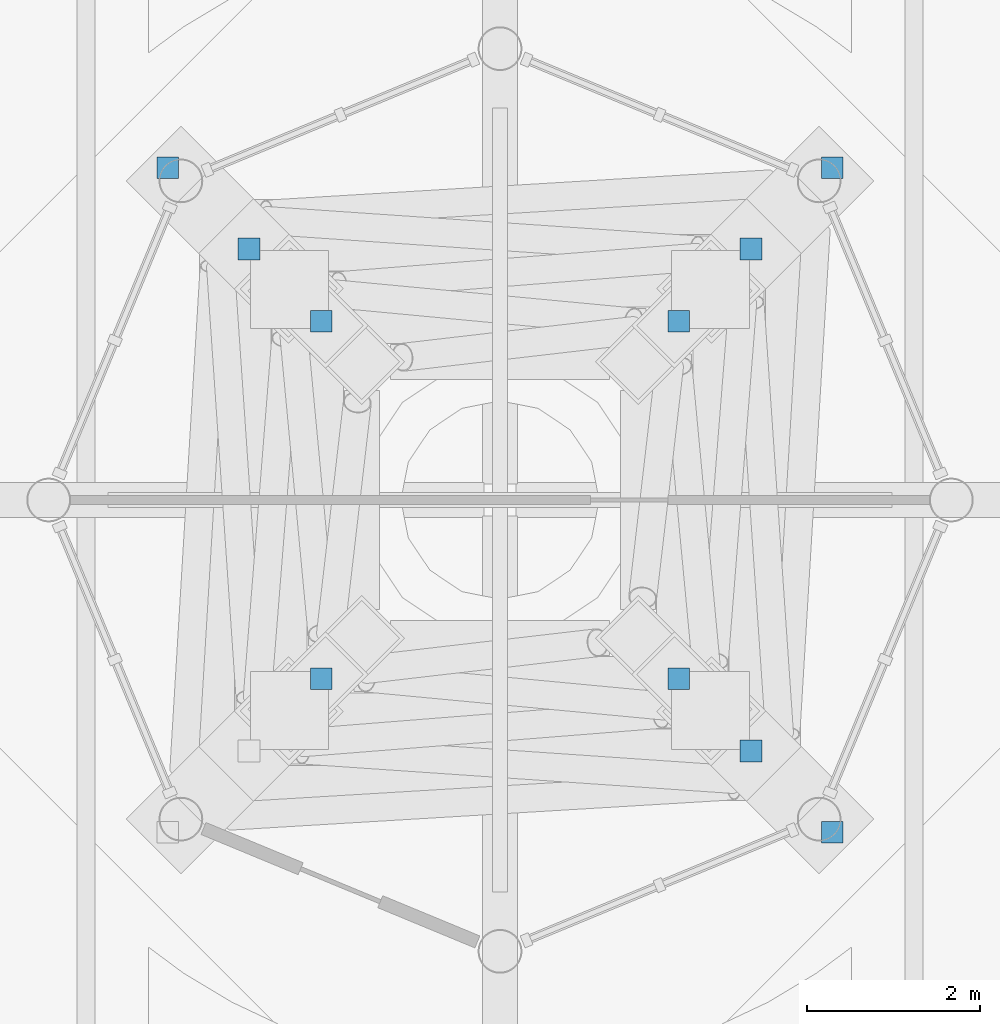
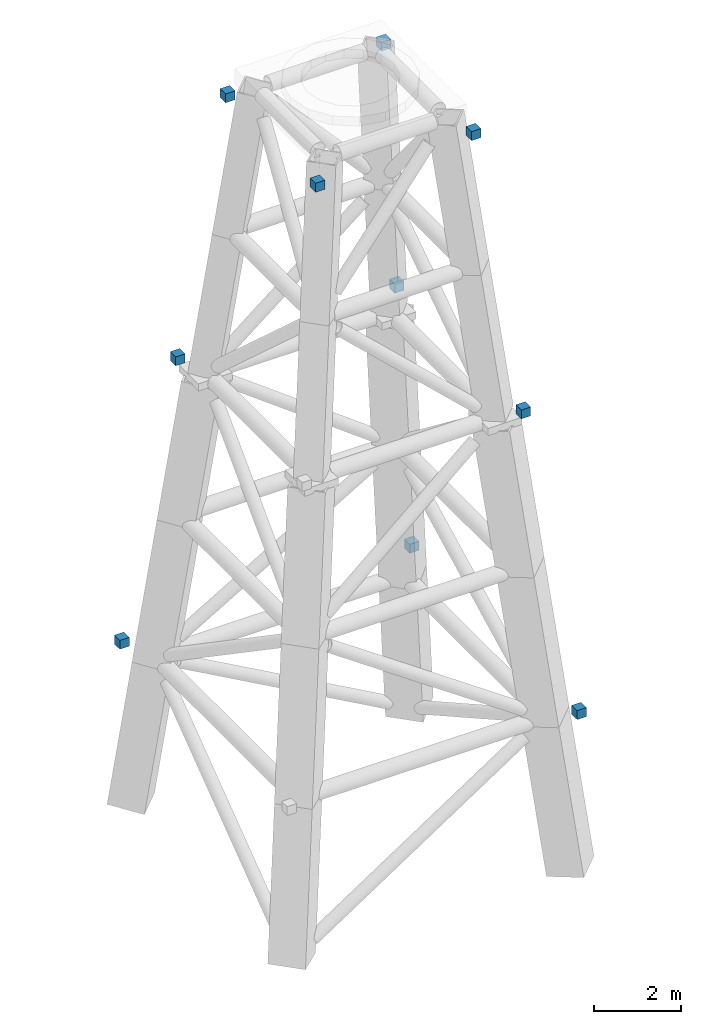
# One storey, part 28 of 32: 10 discrete accessories.
"""IFC4 building model written with IfcOpenShell, lengths in metres."""

from ifc_helpers import new_model, si_unit, direction, frame, origin, origin_2d, place, context, subcontext, project, spatial, rectangle, extrude, material, type_object, element, save


model = new_model("IFC4")

# Units and contexts
model_context = context("Model", 3, precision=1e-05, world=origin(), true_north=direction((0.0, 1.0)))
body_context = subcontext(model_context, "Body", "Model", "MODEL_VIEW")
ifc_project = project(units=[si_unit("LENGTHUNIT", "METRE"), si_unit("AREAUNIT", "SQUARE_METRE"), si_unit("VOLUMEUNIT", "CUBIC_METRE"), si_unit("PLANEANGLEUNIT", "RADIAN"), si_unit("MASSUNIT", "GRAM", prefix="KILO")], contexts=[model_context])

# Site, building, storey
site_placement = place(None, origin())
site = spatial("IfcSite", under=ifc_project, at=site_placement, CompositionType="ELEMENT")
building_placement = place(site_placement, origin())
building = spatial("IfcBuilding", under=site, at=building_placement, Name="Cobrizo Arcos Hotel Tower", CompositionType="ELEMENT")
storey_placement = place(building_placement, frame((0.0, 0.0, 265.5)))
storey = spatial("IfcBuildingStorey", under=building, at=storey_placement, Name="L70", CompositionType="ELEMENT", Elevation=265.5)

# Discrete accessories
ifc_material = material(Name="Steel ASTM A500 Grade C", Category="steel")
discrete_accessory_type = type_object("IfcDiscreteAccessoryType", Name="MAST aircraft warning light", PredefinedType="BRACKET", material=ifc_material)
for number, where, z_axis, x_axis, name in (
    (1, (3.85009765625, -3.85009765625, 35.77490234375), (0.0, 0.0, 1.0), (1.0, 0.0, 0.0), "Aircraft warning light SE 1"),
    (2, (3.85009765625, 3.85009765625, 35.77490234375), (0.0, 0.0, 1.0), (1.0, 0.0, 0.0), "Aircraft warning light NE 1"),
    (3, (-3.85009765625, 3.85009765625, 35.77490234375), (0.0, 0.0, 1.0), (1.0, 0.0, 0.0), "Aircraft warning light NW 1"),
    (4, (2.909912109375, -2.909912109375, 43.97509765625), (0.0, 0.0, 1.0), (1.0, 0.0, 0.0), "Aircraft warning light SE 3"),
    (5, (2.909912109375, 2.909912109375, 43.97509765625), (0.0, 0.0, 1.0), (1.0, 0.0, 0.0), "Aircraft warning light NE 3"),
    (6, (-2.909912109375, 2.909912109375, 43.97509765625), (0.0, 0.0, 1.0), (1.0, 0.0, 0.0), "Aircraft warning light NW 3"),
    (7, (-2.070068359375, -2.070068359375, 51.574951171875), (0.0, 0.0, 1.0), (1.0, 0.0, 0.0), "Aircraft warning light SW 5"),
    (8, (2.070068359375, -2.070068359375, 51.574951171875), (0.0, 0.0, 1.0), (1.0, 0.0, 0.0), "Aircraft warning light SE 5"),
    (9, (2.070068359375, 2.070068359375, 51.574951171875), (0.0, 0.0, 1.0), (1.0, 0.0, 0.0), "Aircraft warning light NE 5"),
    (10, (-2.070068359375, 2.070068359375, 51.574951171875), (0.0, 0.0, 1.0), (1.0, 0.0, 0.0), "Aircraft warning light NW 5"),
):
    element("IfcDiscreteAccessory", number, at=place(storey_placement, frame(where, z_axis=z_axis, x_axis=x_axis)), inside=storey, type_object=discrete_accessory_type, Name=name, PredefinedType="BRACKET", context=body_context, shape_type="SweptSolid", body=[
        extrude(rectangle(XDim=0.25, YDim=0.25, at=origin_2d()), origin(), (0.0, 0.0, 1.0), 0.25),
    ])

save(model, "model.ifc")
